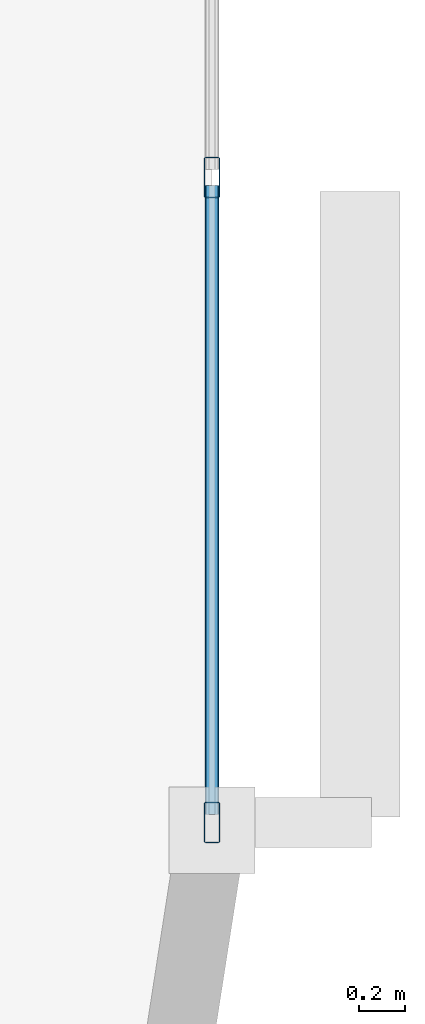
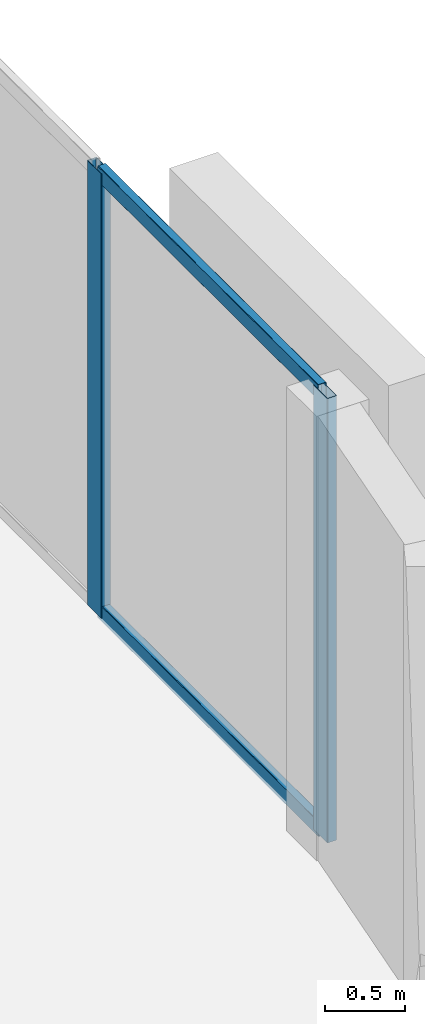
# One storey, part 4 of 16: 4 members, 1 element without a shape of its own.
"""IFC4 building model written with IfcOpenShell, lengths in metres."""

from ifc_helpers import new_model, si_unit, direction, frame, origin, origin_2d, place, context, subcontext, project, spatial, hollow_rectangle, extrude, material, layer, layer_set, material_profile, profile_set, type_object, element, aggregate, save


model = new_model("IFC4")

# Units and contexts
model_context = context("Model", 3, precision=1e-05, world=origin(), true_north=direction((0.0, 1.0)))
body_context = subcontext(model_context, "Body", "Model", "MODEL_VIEW")
ifc_project = project(units=[si_unit("LENGTHUNIT", "METRE"), si_unit("AREAUNIT", "SQUARE_METRE"), si_unit("VOLUMEUNIT", "CUBIC_METRE"), si_unit("PLANEANGLEUNIT", "RADIAN"), si_unit("MASSUNIT", "GRAM", prefix="KILO")], contexts=[model_context])

# Site, building, storey
site_placement = place(None, origin())
site = spatial("IfcSite", under=ifc_project, at=site_placement, CompositionType="ELEMENT")
building_placement = place(site_placement, origin())
building = spatial("IfcBuilding", under=site, at=building_placement, Name="An Khanh Terracotta Commons", CompositionType="ELEMENT")
storey_placement = place(building_placement, frame((0.0, 0.0, 107.89990234375)))
storey = spatial("IfcBuildingStorey", under=building, at=storey_placement, Name="L28", CompositionType="ELEMENT", Elevation=107.89990234375)

# Curtain wall, members
ifc_material = material(Name="Anodised Aluminium 6063-T6", Category="aluminium")
ifc_layer = layer(ifc_material, 0.199951171875, Name="Anodised Aluminium 6063-T6")
ifc_layer_set = layer_set([ifc_layer], Name="Anodised Aluminium 6063-T6")
curtain_wall_type = type_object("IfcCurtainWallType", Name="CW-SYS-02", PredefinedType="USERDEFINED", material=ifc_layer_set)
curtain_wall_placement = place(storey_placement, origin())
curtain_wall = element("IfcCurtainWall", 1, at=curtain_wall_placement, inside=storey, type_object=curtain_wall_type, Name="L28 CW-02 Unitised Curtain Wall CW-L28-12", ObjectType="UNITISED CURTAIN WALL", PredefinedType="USERDEFINED")
ifc_material_profile_1 = material_profile(ifc_material, hollow_rectangle(XDim=0.070068359375, YDim=0.179931640625, WallThickness=0.00390625, InnerFilletRadius=0.00390625, OuterFilletRadius=0.008056640625, at=origin_2d()), Name="RHS180x70x4")
ifc_profile_set_1 = profile_set([ifc_material_profile_1], Name="Anodised Aluminium 6063-T6")
member_type_1 = type_object("IfcMemberType", Name="CWM-RHS180x70x4", PredefinedType="MULLION", material=ifc_profile_set_1)
member_1_placement = place(storey_placement, frame((57.39990234375, 15.43505859375, 0.0), z_axis=(0.0, 0.0, 1.0), x_axis=(-1.0, 0.0, 0.0)))
member_1 = element("IfcMember", 2, at=member_1_placement, type_object=member_type_1, Name="CW-02 mullion 1", PredefinedType="MULLION", context=body_context, shape_type="SweptSolid", body=[
    extrude(hollow_rectangle(XDim=0.070068359375, YDim=0.179931640625, WallThickness=0.00390625, InnerFilletRadius=0.00390625, OuterFilletRadius=0.008056640625, at=origin_2d()), origin(), (0.0, 0.0, 1.0), 3.400146484375),
])
member_2_placement = place(storey_placement, frame((57.39990234375, 18.2666015625, 0.0), z_axis=(0.0, 0.0, 1.0), x_axis=(-1.0, 0.0, 0.0)))
member_2 = element("IfcMember", 3, at=member_2_placement, type_object=member_type_1, Name="CW-02 mullion 2", PredefinedType="MULLION", context=body_context, shape_type="SweptSolid", body=[
    extrude(hollow_rectangle(XDim=0.070068359375, YDim=0.179931640625, WallThickness=0.00390625, InnerFilletRadius=0.00390625, OuterFilletRadius=0.008056640625, at=origin_2d()), origin(), (0.0, 0.0, 1.0), 3.400146484375),
])
ifc_material_profile_2 = material_profile(ifc_material, hollow_rectangle(XDim=0.06005859375, YDim=0.1201171875, WallThickness=0.003662109375, InnerFilletRadius=0.003662109375, OuterFilletRadius=0.007080078125, at=origin_2d()), Name="RHS120x60x3.6")
ifc_profile_set_2 = profile_set([ifc_material_profile_2], Name="Anodised Aluminium 6063-T6")
member_type_2 = type_object("IfcMemberType", Name="CWT-RHS120x60x3.6", PredefinedType="USERDEFINED", material=ifc_profile_set_2)
member_3_placement = place(storey_placement, frame((57.39990234375, 15.469970703125, 0.030029296875), z_axis=(0.0, 1.0, 0.0), x_axis=(-1.0, 0.0, 0.0)))
member_3 = element("IfcMember", 4, at=member_3_placement, type_object=member_type_2, Name="CW-02 transom 1.1", ObjectType="TRANSOM", PredefinedType="USERDEFINED", context=body_context, shape_type="SweptSolid", body=[
    extrude(hollow_rectangle(XDim=0.06005859375, YDim=0.1201171875, WallThickness=0.003662109375, InnerFilletRadius=0.003662109375, OuterFilletRadius=0.007080078125, at=origin_2d()), origin(), (0.0, 0.0, 1.0), 2.76171875),
])
member_4_placement = place(storey_placement, frame((57.39990234375, 15.469970703125, 3.3701171875), z_axis=(0.0, 1.0, 0.0), x_axis=(-1.0, 0.0, 0.0)))
member_4 = element("IfcMember", 5, at=member_4_placement, type_object=member_type_2, Name="CW-02 transom 1.2", ObjectType="TRANSOM", PredefinedType="USERDEFINED", context=body_context, shape_type="SweptSolid", body=[
    extrude(hollow_rectangle(XDim=0.06005859375, YDim=0.1201171875, WallThickness=0.003662109375, InnerFilletRadius=0.003662109375, OuterFilletRadius=0.007080078125, at=origin_2d()), origin(), (0.0, 0.0, 1.0), 2.76171875),
])
aggregate(curtain_wall, [member_1, member_2, member_3, member_4])

save(model, "model.ifc")
